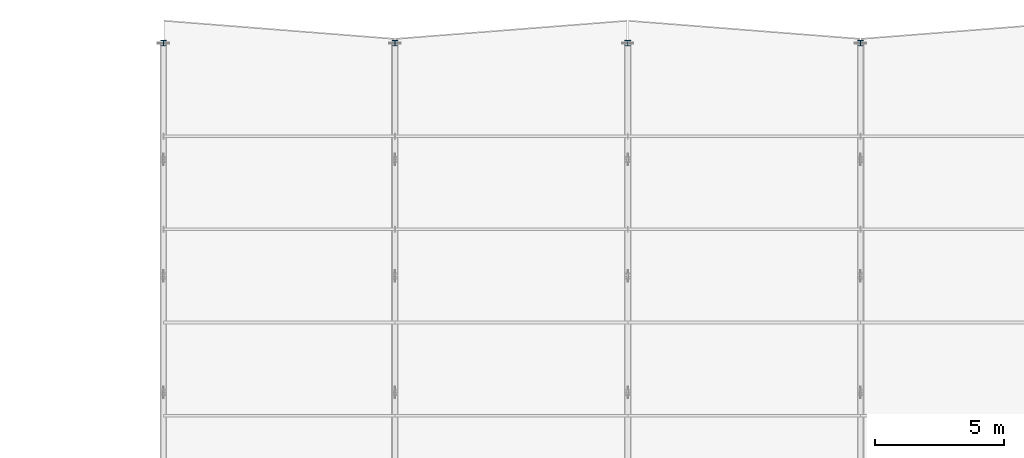
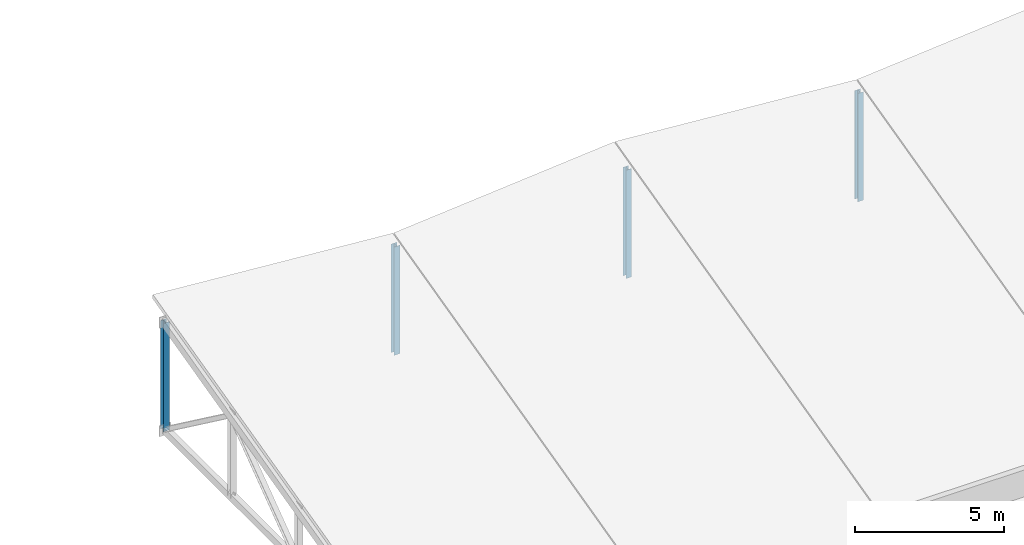
# One storey, part 11 of 36: 4 members.
"""IFC4 building model written with IfcOpenShell, lengths in metres."""

from ifc_helpers import new_model, si_unit, direction, frame, origin, origin_2d, place, context, subcontext, project, spatial, i_section, extrude, material, material_profile, profile_set, type_object, element, save


model = new_model("IFC4")

# Units and contexts
model_context = context("Model", 3, precision=1e-05, world=origin(), true_north=direction((0.0, 1.0)))
body_context = subcontext(model_context, "Body", "Model", "MODEL_VIEW")
ifc_project = project(units=[si_unit("LENGTHUNIT", "METRE"), si_unit("AREAUNIT", "SQUARE_METRE"), si_unit("VOLUMEUNIT", "CUBIC_METRE"), si_unit("PLANEANGLEUNIT", "RADIAN"), si_unit("MASSUNIT", "GRAM", prefix="KILO")], contexts=[model_context])

# Site, building, storey
site_placement = place(None, origin())
site = spatial("IfcSite", under=ifc_project, at=site_placement, CompositionType="ELEMENT")
building_placement = place(site_placement, origin())
building = spatial("IfcBuilding", under=site, at=building_placement, Name="Montelvaro Courts of Justice", CompositionType="ELEMENT")
storey_placement = place(building_placement, frame((0.0, 0.0, 23.39990234375)))
storey = spatial("IfcBuildingStorey", under=building, at=storey_placement, Name="L05", CompositionType="ELEMENT", Elevation=23.39990234375)

# Members
ifc_material = material(Name="Steel S355", Category="steel")
ifc_material_profile = material_profile(ifc_material, i_section(OverallWidth=0.219970703125, OverallDepth=0.2099609375, WebThickness=0.007080078125, FlangeThickness=0.010986328125, at=origin_2d()), Name="HEA 220")
ifc_profile_set = profile_set([ifc_material_profile], Name="Steel S355")
member_type = type_object("IfcMemberType", Name="Mem_HEA220_Post", PredefinedType="POST", material=ifc_profile_set)
for number, where, z_axis, x_axis, name in (
    (1, (99.050048828125, 96.0, -0.2998046875), (0.0, 0.0, 1.0), (1.0, 0.0, 0.0), "Roof Truss Post MP-03 ROOF-V2-VTR01-V4"),
    (2, (108.0, 96.0, -0.2998046875), (0.0, 0.0, 1.0), (1.0, 0.0, 0.0), "Roof Truss Post MP-03 ROOF-V2-VTR02-V4"),
    (3, (117.0, 96.0, -0.2998046875), (0.0, 0.0, 1.0), (1.0, 0.0, 0.0), "Roof Truss Post MP-03 ROOF-V2-VTR03-V4"),
    (4, (126.0, 96.0, -0.2998046875), (0.0, 0.0, 1.0), (1.0, 0.0, 0.0), "Roof Truss Post MP-03 ROOF-V2-VTR04-V4"),
):
    element("IfcMember", number, at=place(storey_placement, frame(where, z_axis=z_axis, x_axis=x_axis)), inside=storey, type_object=member_type, Name=name, PredefinedType="POST", context=body_context, shape_type="SweptSolid", body=[
        extrude(i_section(OverallWidth=0.219970703125, OverallDepth=0.2099609375, WebThickness=0.007080078125, FlangeThickness=0.010986328125, at=origin_2d()), origin(), (0.0, 0.0, 1.0), 4.449951171875),
    ])

save(model, "model.ifc")
